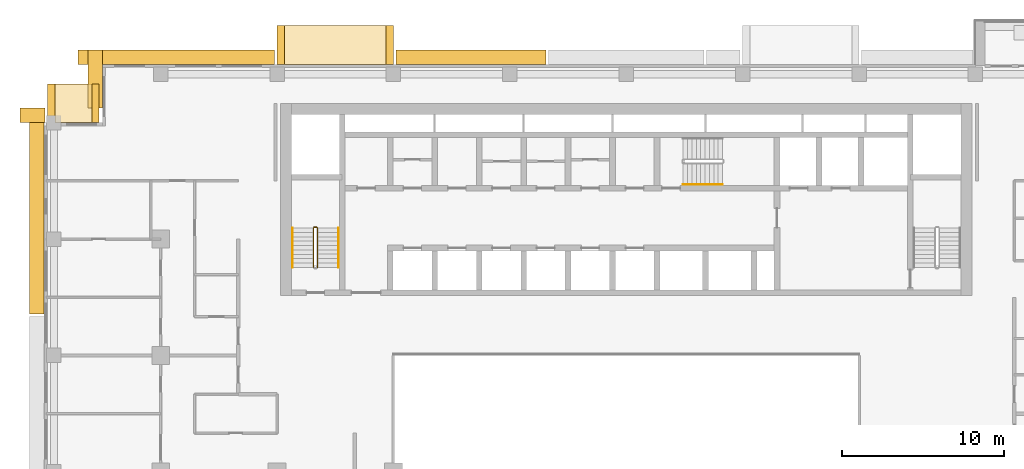
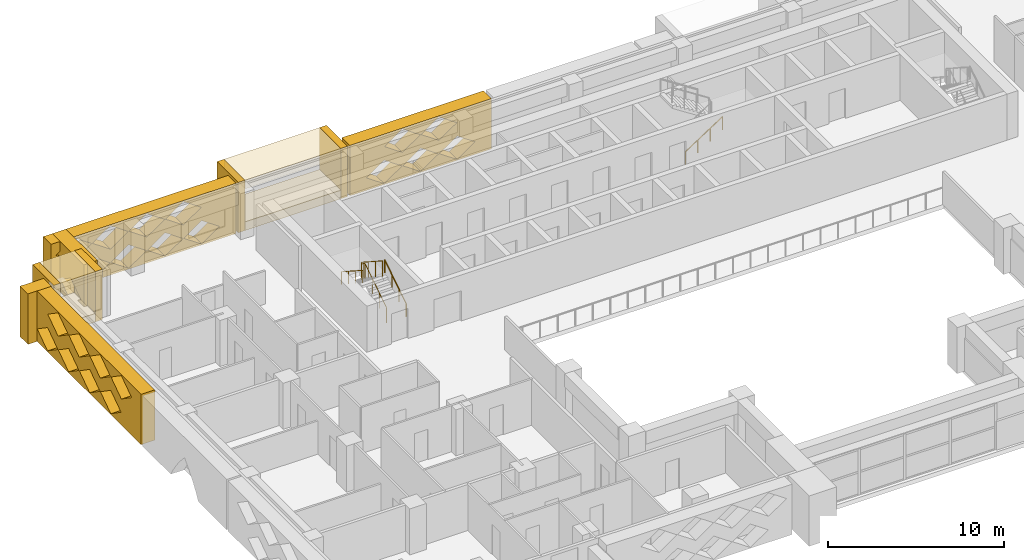
# One storey, part 17 of 19: 13 coverings, 4 railings.
"""IFC4 building model written with IfcOpenShell, lengths in metres."""

from ifc_helpers import new_model, si_unit, direction, frame, origin, origin_2d, place, context, subcontext, project, spatial, polyline, circle, outline, extrude, material, type_object, element, save


model = new_model("IFC4")

# Units and contexts
model_context = context("Model", 3, precision=1e-05, world=origin(), true_north=direction((0.0, 1.0)))
body_context = subcontext(model_context, "Body", "Model", "MODEL_VIEW")
ifc_project = project(units=[si_unit("LENGTHUNIT", "METRE"), si_unit("AREAUNIT", "SQUARE_METRE"), si_unit("VOLUMEUNIT", "CUBIC_METRE"), si_unit("PLANEANGLEUNIT", "RADIAN"), si_unit("MASSUNIT", "GRAM", prefix="KILO")], contexts=[model_context])

# Site, building, storey
site_placement = place(None, origin())
site = spatial("IfcSite", under=ifc_project, at=site_placement, CompositionType="ELEMENT")
building_placement = place(site_placement, origin())
building = spatial("IfcBuilding", under=site, at=building_placement, Name="Saffron Iwan Residences", CompositionType="ELEMENT")
storey_placement = place(building_placement, frame((0.0, 0.0, 116.5)))
storey = spatial("IfcBuildingStorey", under=building, at=storey_placement, Name="L30", CompositionType="ELEMENT", Elevation=116.5)

# Coverings
ifc_material_1 = material(Name="Precast concrete C40/50", Category="concrete")
covering_type_1 = type_object("IfcCoveringType", Name="OUTER SKIN LATTICE SCREEN", PredefinedType="CLADDING", material=ifc_material_1)
covering_1_placement = place(storey_placement, frame((45.449951171875, 80.39990234375, -0.300048828125), z_axis=(0.0, 1.0, 0.0), x_axis=(-1.0, 0.0, 0.0)))
element("IfcCovering", 1, at=covering_1_placement, inside=storey, type_object=covering_type_1, Name="OUTER SKIN lattice screen L30 F5.3", PredefinedType="CLADDING", context=body_context, shape_type="SweptSolid", body=[
    extrude(outline(polyline([(0.0, 0.0), (9.300048828125, 0.0), (9.300048828125, 3.5), (0.0, 3.5), (0.0, 0.0)]), holes=[polyline([(1.070068359375, 0.875), (2.25, 0.06005859375), (3.429931640625, 0.875), (2.25, 1.68994140625), (1.070068359375, 0.875)]), polyline([(3.469970703125, 0.875), (4.64990234375, 0.06005859375), (5.830078125, 0.875), (4.64990234375, 1.68994140625), (3.469970703125, 0.875)]), polyline([(5.8701171875, 0.875), (7.050048828125, 0.06005859375), (8.22998046875, 0.875), (7.050048828125, 1.68994140625), (5.8701171875, 0.875)]), polyline([(2.27001953125, 2.625), (3.449951171875, 1.81005859375), (4.6298828125, 2.625), (3.449951171875, 3.43994140625), (2.27001953125, 2.625)]), polyline([(4.669921875, 2.625), (5.85009765625, 1.81005859375), (7.030029296875, 2.625), (5.85009765625, 3.43994140625), (4.669921875, 2.625)])]), origin(), (0.0, 0.0, 1.0), 0.900146484375),
])
covering_2_placement = place(storey_placement, frame((28.64990234375, 80.39990234375, -0.300048828125), z_axis=(0.0, 1.0, 0.0), x_axis=(-1.0, 0.0, 0.0)))
element("IfcCovering", 2, at=covering_2_placement, inside=storey, type_object=covering_type_1, Name="OUTER SKIN lattice screen L30 F5.4", PredefinedType="CLADDING", context=body_context, shape_type="SweptSolid", body=[
    extrude(outline(polyline([(0.0, 0.0), (12.14990234375, 0.0), (12.14990234375, 3.5), (0.0, 3.5), (0.0, 0.0)]), holes=[polyline([(1.070068359375, 0.875), (2.25, 0.06005859375), (3.429931640625, 0.875), (2.25, 1.68994140625), (1.070068359375, 0.875)]), polyline([(3.469970703125, 0.875), (4.64990234375, 0.06005859375), (5.830078125, 0.875), (4.64990234375, 1.68994140625), (3.469970703125, 0.875)]), polyline([(5.8701171875, 0.875), (7.050048828125, 0.06005859375), (8.22998046875, 0.875), (7.050048828125, 1.68994140625), (5.8701171875, 0.875)]), polyline([(8.27001953125, 0.875), (9.449951171875, 0.06005859375), (10.6298828125, 0.875), (9.449951171875, 1.68994140625), (8.27001953125, 0.875)]), polyline([(2.27001953125, 2.625), (3.449951171875, 1.81005859375), (4.6298828125, 2.625), (3.449951171875, 3.43994140625), (2.27001953125, 2.625)]), polyline([(4.669921875, 2.625), (5.85009765625, 1.81005859375), (7.030029296875, 2.625), (5.85009765625, 3.43994140625), (4.669921875, 2.625)]), polyline([(7.070068359375, 2.625), (8.25, 1.81005859375), (9.429931640625, 2.625), (8.25, 3.43994140625), (7.070068359375, 2.625)]), polyline([(9.469970703125, 2.625), (10.64990234375, 1.81005859375), (11.830078125, 2.625), (10.64990234375, 3.43994140625), (9.469970703125, 2.625)])]), origin(), (0.0, 0.0, 1.0), 0.900146484375),
])
covering_3_placement = place(storey_placement, frame((18.0, 81.300048828125, -0.300048828125), z_axis=(-1.0, 0.0, 0.0), x_axis=(0.0, -1.0, 0.0)))
element("IfcCovering", 3, at=covering_3_placement, inside=storey, type_object=covering_type_1, Name="OUTER SKIN lattice screen L30 F6.0", PredefinedType="CLADDING", context=body_context, shape_type="SweptSolid", body=[
    extrude(outline(polyline([(0.0, 0.0), (3.60009765625, 0.0), (3.60009765625, 3.5), (0.0, 3.5), (0.0, 0.0)]), holes=[polyline([(0.919921875, 0.875), (2.10009765625, 0.06005859375), (3.280029296875, 0.875), (2.10009765625, 1.68994140625), (0.919921875, 0.875)])]), origin(), (0.0, 0.0, 1.0), 0.89990234375),
])
covering_4_placement = place(storey_placement, frame((14.449951171875, 76.800048828125, -0.300048828125), z_axis=(0.0, 1.0, 0.0), x_axis=(-1.0, 0.0, 0.0)))
element("IfcCovering", 4, at=covering_4_placement, inside=storey, type_object=covering_type_1, Name="OUTER SKIN lattice screen L30 F7.0", PredefinedType="CLADDING", context=body_context, shape_type="SweptSolid", body=[
    extrude(outline(polyline([(0.0, 0.0), (1.550048828125, 0.0), (1.550048828125, 3.5), (0.0, 3.5), (0.0, 0.0)])), origin(), (0.0, 0.0, 1.0), 0.89990234375),
])
covering_5_placement = place(storey_placement, frame((14.39990234375, 77.699951171875, -0.300048828125), z_axis=(-1.0, 0.0, 0.0), x_axis=(0.0, -1.0, 0.0)))
element("IfcCovering", 5, at=covering_5_placement, inside=storey, type_object=covering_type_1, Name="OUTER SKIN lattice screen L30 F8.0", PredefinedType="CLADDING", context=body_context, shape_type="SweptSolid", body=[
    extrude(outline(polyline([(0.0, 0.0), (12.75, 0.0), (12.75, 3.5), (0.0, 3.5), (0.0, 0.0)]), holes=[polyline([(0.919921875, 0.875), (2.10009765625, 0.06005859375), (3.280029296875, 0.875), (2.10009765625, 1.68994140625), (0.919921875, 0.875)]), polyline([(3.320068359375, 0.875), (4.5, 0.06005859375), (5.679931640625, 0.875), (4.5, 1.68994140625), (3.320068359375, 0.875)]), polyline([(5.719970703125, 0.875), (6.89990234375, 0.06005859375), (8.080078125, 0.875), (6.89990234375, 1.68994140625), (5.719970703125, 0.875)]), polyline([(8.1201171875, 0.875), (9.300048828125, 0.06005859375), (10.47998046875, 0.875), (9.300048828125, 1.68994140625), (8.1201171875, 0.875)]), polyline([(2.1201171875, 2.625), (3.300048828125, 1.81005859375), (4.47998046875, 2.625), (3.300048828125, 3.43994140625), (2.1201171875, 2.625)]), polyline([(4.52001953125, 2.625), (5.699951171875, 1.81005859375), (6.8798828125, 2.625), (5.699951171875, 3.43994140625), (4.52001953125, 2.625)]), polyline([(6.919921875, 2.625), (8.10009765625, 1.81005859375), (9.280029296875, 2.625), (8.10009765625, 3.43994140625), (6.919921875, 2.625)]), polyline([(9.320068359375, 2.625), (10.5, 1.81005859375), (11.679931640625, 2.625), (10.5, 3.43994140625), (9.320068359375, 2.625)])]), origin(), (0.0, 0.0, 1.0), 0.89990234375),
])

# Railings
ifc_material_2 = material(Name="Steel S355", Category="steel")
railing_type_1 = type_object("IfcRailingType", Name="Stair guard 1100", PredefinedType="GUARDRAIL", material=ifc_material_2)
railing_1_placement = place(storey_placement, frame((31.300048828125, 67.85009765625, 0.175048828125)))
element("IfcRailing", 6, at=railing_1_placement, inside=storey, type_object=railing_type_1, Name="L30 ST-W stair guard 1", PredefinedType="GUARDRAIL", context=body_context, shape_type="SweptSolid", body=[
    extrude(circle(Radius=0.02392578125, at=origin_2d()), frame((0.0, 0.0, 1.076171875), z_axis=(0.0, 0.839153699163, 0.543894354798), x_axis=(-1.0, 0.0, 0.0)), (0.0, 0.0, 1.0), 2.895751953125),
    extrude(circle(Radius=0.02392578125, at=origin_2d()), frame((0.0, 2.429931640625, 2.65087890625), z_axis=(-0.707106781187, 0.707106781187, 0.0), x_axis=(-0.707106781187, -0.707106781187, 0.0)), (0.0, 0.0, 1.0), 0.07080078125),
    extrude(circle(Radius=0.02392578125, at=origin_2d()), frame((-0.050048828125, 2.47998046875, 2.65087890625), z_axis=(-1.0, 0.0, 0.0), x_axis=(0.0, -1.0, 0.0)), (0.0, 0.0, 1.0), 0.14990234375),
    extrude(circle(Radius=0.02392578125, at=origin_2d()), frame((-0.199951171875, 2.47998046875, 2.65087890625), z_axis=(-0.265065253269, -0.265065253269, 0.927081885822), x_axis=(0.707106781187, -0.707106781187, 0.0)), (0.0, 0.0, 1.0), 0.188720703125),
    extrude(circle(Radius=0.02392578125, at=origin_2d()), frame((-0.25, 2.429931640625, 2.826171875), z_axis=(0.0, -0.839153699163, 0.543894354798), x_axis=(1.0, 0.0, 0.0)), (0.0, 0.0, 1.0), 2.895751953125),
    extrude(circle(Radius=0.02099609375, at=origin_2d()), origin(), (0.0, 0.0, 1.0), 1.052001953125),
    extrude(circle(Radius=0.02099609375, at=origin_2d()), frame((0.0, 0.81005859375, 0.52490234375)), (0.0, 0.0, 1.0), 1.052001953125),
    extrude(circle(Radius=0.02099609375, at=origin_2d()), frame((0.0, 1.619873046875, 1.050048828125)), (0.0, 0.0, 1.0), 1.052001953125),
    extrude(circle(Radius=0.02099609375, at=origin_2d()), frame((0.0, 2.429931640625, 1.574951171875)), (0.0, 0.0, 1.0), 1.052001953125),
    extrude(circle(Radius=0.02099609375, at=origin_2d()), frame((-0.050048828125, 2.47998046875, 1.574951171875)), (0.0, 0.0, 1.0), 1.052001953125),
    extrude(circle(Radius=0.02099609375, at=origin_2d()), frame((-0.199951171875, 2.47998046875, 1.574951171875)), (0.0, 0.0, 1.0), 1.052001953125),
    extrude(circle(Radius=0.02099609375, at=origin_2d()), frame((-0.25, 2.429931640625, 1.75)), (0.0, 0.0, 1.0), 1.052001953125),
    extrude(circle(Radius=0.02099609375, at=origin_2d()), frame((-0.25, 1.619873046875, 2.27490234375)), (0.0, 0.0, 1.0), 1.052001953125),
    extrude(circle(Radius=0.02099609375, at=origin_2d()), frame((-0.25, 0.81005859375, 2.800048828125)), (0.0, 0.0, 1.0), 1.052001953125),
    extrude(circle(Radius=0.02099609375, at=origin_2d()), frame((-0.25, 0.0, 3.324951171875)), (0.0, 0.0, 1.0), 1.052001953125),
])
ifc_material_3 = material(Name="Stainless steel 316", Category="steel")
railing_type_2 = type_object("IfcRailingType", Name="Stair handrail 900", PredefinedType="HANDRAIL", material=ifc_material_3)
railing_2_placement = place(storey_placement, frame((32.60009765625, 67.85009765625, 0.175048828125)))
element("IfcRailing", 7, at=railing_2_placement, inside=storey, type_object=railing_type_2, Name="L30 ST-W stair handrail 1", PredefinedType="HANDRAIL", context=body_context, shape_type="SweptSolid", body=[
    extrude(circle(Radius=0.02392578125, at=origin_2d()), frame((0.0, 0.0, 0.8759765625), z_axis=(0.0, 0.839153699163, 0.543894354798), x_axis=(-1.0, 0.0, 0.0)), (0.0, 0.0, 1.0), 2.895751953125),
    extrude(circle(Radius=0.02099609375, at=origin_2d()), origin(), (0.0, 0.0, 1.0), 0.851806640625),
    extrude(circle(Radius=0.02099609375, at=origin_2d()), frame((0.0, 0.81005859375, 0.52490234375)), (0.0, 0.0, 1.0), 0.851806640625),
    extrude(circle(Radius=0.02099609375, at=origin_2d()), frame((0.0, 1.619873046875, 1.050048828125)), (0.0, 0.0, 1.0), 0.851806640625),
    extrude(circle(Radius=0.02099609375, at=origin_2d()), frame((0.0, 2.429931640625, 1.574951171875)), (0.0, 0.0, 1.0), 0.851806640625),
])
railing_3_placement = place(storey_placement, frame((29.75, 70.280029296875, 1.925048828125)))
element("IfcRailing", 8, at=railing_3_placement, inside=storey, type_object=railing_type_2, Name="L30 ST-W stair handrail 2", PredefinedType="HANDRAIL", context=body_context, shape_type="SweptSolid", body=[
    extrude(circle(Radius=0.02392578125, at=origin_2d()), frame((0.0, 0.0, 0.8759765625), z_axis=(0.0, -0.839153699163, 0.543894354798), x_axis=(1.0, 0.0, 0.0)), (0.0, 0.0, 1.0), 2.895751953125),
    extrude(circle(Radius=0.02099609375, at=origin_2d()), origin(), (0.0, 0.0, 1.0), 0.851806640625),
    extrude(circle(Radius=0.02099609375, at=origin_2d()), frame((0.0, -0.81005859375, 0.52490234375)), (0.0, 0.0, 1.0), 0.851806640625),
    extrude(circle(Radius=0.02099609375, at=origin_2d()), frame((0.0, -1.619873046875, 1.050048828125)), (0.0, 0.0, 1.0), 0.851806640625),
    extrude(circle(Radius=0.02099609375, at=origin_2d()), frame((0.0, -2.429931640625, 1.574951171875)), (0.0, 0.0, 1.0), 0.851806640625),
])
railing_4_placement = place(storey_placement, frame((53.925048828125, 72.97509765625, 0.175048828125)))
element("IfcRailing", 9, at=railing_4_placement, inside=storey, type_object=railing_type_2, Name="L30 ST-C stair handrail 1", PredefinedType="HANDRAIL", context=body_context, shape_type="SweptSolid", body=[
    extrude(circle(Radius=0.02392578125, at=origin_2d()), frame((0.0, 0.0, 0.8759765625), z_axis=(0.839153699163, 0.0, 0.543894354798), x_axis=(0.0, 1.0, 0.0)), (0.0, 0.0, 1.0), 2.895751953125),
    extrude(circle(Radius=0.02099609375, at=origin_2d()), origin(), (0.0, 0.0, 1.0), 0.851806640625),
    extrude(circle(Radius=0.02099609375, at=origin_2d()), frame((0.81005859375, 0.0, 0.52490234375)), (0.0, 0.0, 1.0), 0.851806640625),
    extrude(circle(Radius=0.02099609375, at=origin_2d()), frame((1.619873046875, 0.0, 1.050048828125)), (0.0, 0.0, 1.0), 0.851806640625),
    extrude(circle(Radius=0.02099609375, at=origin_2d()), frame((2.429931640625, 0.0, 1.574951171875)), (0.0, 0.0, 1.0), 0.851806640625),
])

# Coverings
ifc_material_4 = material(Name="Precast concrete C40/50 white painted", Category="concrete")
covering_type_2 = type_object("IfcCoveringType", Name="WHITE SUN FRAME PRECAST", PredefinedType="CLADDING", material=ifc_material_4)
for number, where, z_axis, x_axis, name in (
    (10, (36.0, 80.39990234375, -0.300048828125), (0.0, 1.0, 0.0), (-1.0, 0.0, 0.0), "Sun frame L30 F5 46.8a"),
    (11, (29.25, 80.39990234375, -0.300048828125), (0.0, 1.0, 0.0), (-1.0, 0.0, 0.0), "Sun frame L30 F5 46.8b"),
):
    element("IfcCovering", number, at=place(storey_placement, frame(where, z_axis=z_axis, x_axis=x_axis)), inside=storey, type_object=covering_type_2, Name=name, PredefinedType="CLADDING", context=body_context, shape_type="SweptSolid", body=[
        extrude(outline(polyline([(0.0, 0.0), (0.449951171875, 0.0), (0.449951171875, 3.5), (0.0, 3.5), (0.0, 0.0)])), origin(), (0.0, 0.0, 1.0), 2.400146484375),
    ])
for number, where, z_axis, x_axis, name in (
    (12, (35.550048828125, 80.39990234375, 2.60009765625), (0.0, 1.0, 0.0), (-1.0, 0.0, 0.0), "Sun frame L30 F5 46.8h"),
    (13, (35.550048828125, 80.39990234375, -0.300048828125), (0.0, 1.0, 0.0), (-1.0, 0.0, 0.0), "Sun frame L30 F5 46.8s"),
):
    element("IfcCovering", number, at=place(storey_placement, frame(where, z_axis=z_axis, x_axis=x_axis)), inside=storey, type_object=covering_type_2, Name=name, PredefinedType="CLADDING", context=body_context, shape_type="SweptSolid", body=[
        extrude(outline(polyline([(0.0, 0.0), (6.300048828125, 0.0), (6.300048828125, 0.60009765625), (0.0, 0.60009765625), (0.0, 0.0)])), origin(), (0.0, 0.0, 1.0), 2.400146484375),
    ])
for number, where, z_axis, x_axis, name in (
    (14, (17.800048828125, 76.800048828125, -0.300048828125), (0.0, 1.0, 0.0), (-1.0, 0.0, 0.0), "Sun frame L30 F7 0.2a"),
    (15, (15.050048828125, 76.800048828125, -0.300048828125), (0.0, 1.0, 0.0), (-1.0, 0.0, 0.0), "Sun frame L30 F7 0.2b"),
):
    element("IfcCovering", number, at=place(storey_placement, frame(where, z_axis=z_axis, x_axis=x_axis)), inside=storey, type_object=covering_type_2, Name=name, PredefinedType="CLADDING", context=body_context, shape_type="SweptSolid", body=[
        extrude(outline(polyline([(0.0, 0.0), (0.449951171875, 0.0), (0.449951171875, 3.5), (0.0, 3.5), (0.0, 0.0)])), origin(), (0.0, 0.0, 1.0), 2.39990234375),
    ])
for number, where, z_axis, x_axis, name in (
    (16, (17.35009765625, 76.800048828125, 2.60009765625), (0.0, 1.0, 0.0), (-1.0, 0.0, 0.0), "Sun frame L30 F7 0.2h"),
    (17, (17.35009765625, 76.800048828125, -0.300048828125), (0.0, 1.0, 0.0), (-1.0, 0.0, 0.0), "Sun frame L30 F7 0.2s"),
):
    element("IfcCovering", number, at=place(storey_placement, frame(where, z_axis=z_axis, x_axis=x_axis)), inside=storey, type_object=covering_type_2, Name=name, PredefinedType="CLADDING", context=body_context, shape_type="SweptSolid", body=[
        extrude(outline(polyline([(0.0, 0.0), (2.300048828125, 0.0), (2.300048828125, 0.60009765625), (0.0, 0.60009765625), (0.0, 0.0)])), origin(), (0.0, 0.0, 1.0), 2.39990234375),
    ])

save(model, "model.ifc")
